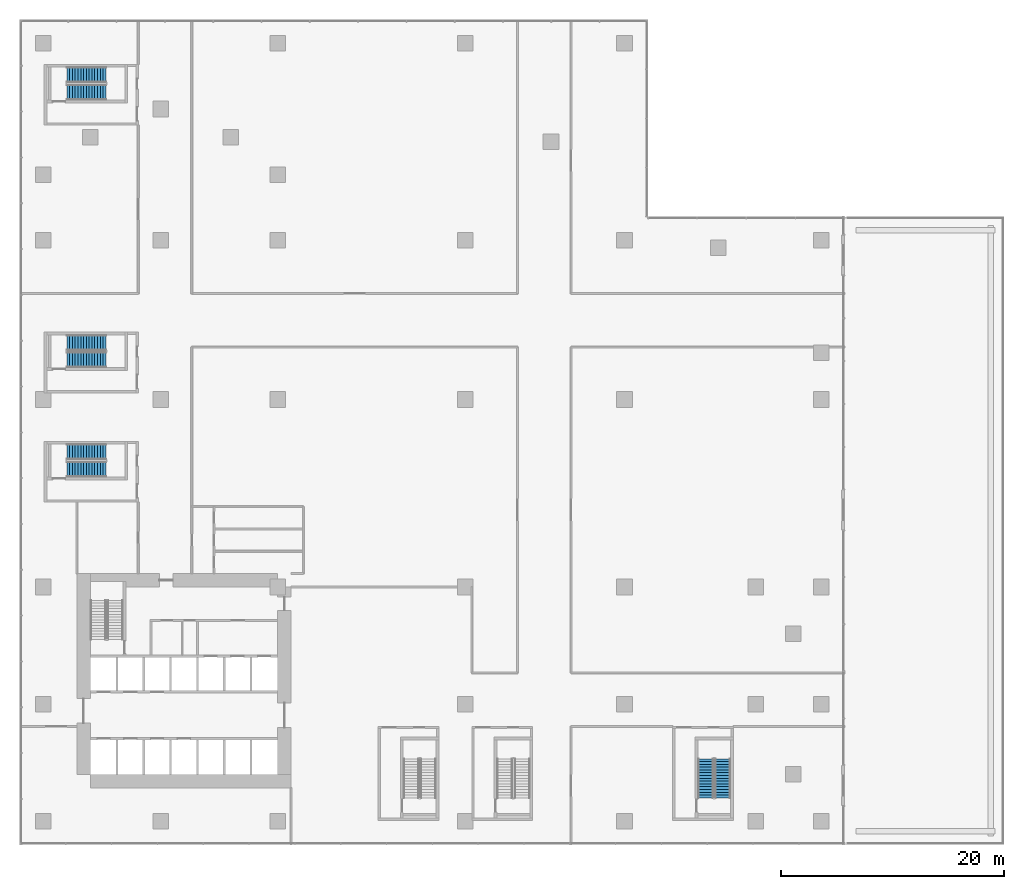
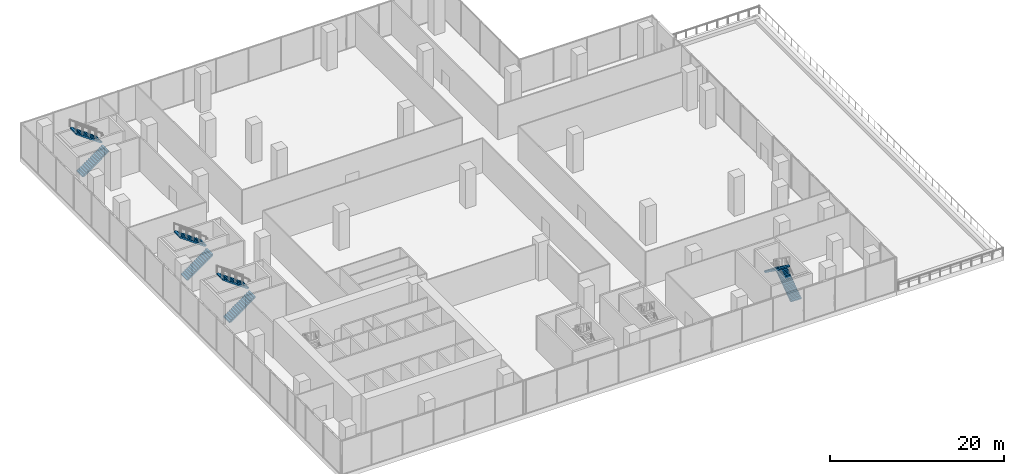
# One storey, part 18 of 23: 8 stair flights, 4 elements without a shape of their own.
"""IFC4 building model written with IfcOpenShell, lengths in metres."""

from ifc_helpers import new_model, si_unit, direction, frame, origin, place, context, subcontext, project, spatial, polyline, outline, extrude, source, transform, mapped, material, type_object, element, aggregate, save


model = new_model("IFC4")

# Units and contexts
model_context = context("Model", 3, precision=1e-05, world=origin(), true_north=direction((0.0, 1.0)))
body_context = subcontext(model_context, "Body", "Model", "MODEL_VIEW")
ifc_project = project(units=[si_unit("LENGTHUNIT", "METRE"), si_unit("AREAUNIT", "SQUARE_METRE"), si_unit("VOLUMEUNIT", "CUBIC_METRE"), si_unit("PLANEANGLEUNIT", "RADIAN"), si_unit("MASSUNIT", "GRAM", prefix="KILO")], contexts=[model_context])

# Site, building, storey
site_placement = place(None, origin())
site = spatial("IfcSite", under=ifc_project, at=site_placement, CompositionType="ELEMENT")
building_placement = place(site_placement, origin())
building = spatial("IfcBuilding", under=site, at=building_placement, Name="Aurelian Terraces", CompositionType="ELEMENT")
storey_placement = place(building_placement, frame((0.0, 0.0, 18.3)))
storey = spatial("IfcBuildingStorey", under=building, at=storey_placement, Name="L03", CompositionType="ELEMENT", Elevation=18.3)

# Stair, stair flights
ifc_material = material(Name="Concrete fc' 40 MPa", Category="concrete")
stair_type = type_object("IfcStairType", Name="Stair 1400", PredefinedType="HALF_TURN_STAIR", material=ifc_material)
stair_1_placement = place(storey_placement, origin())
stair_1 = element("IfcStair", 1, at=stair_1_placement, inside=storey, type_object=stair_type, Name="L03 S3", PredefinedType="HALF_TURN_STAIR")
stair_flight_type = type_object("IfcStairFlightType", Name="Stair flight 1400", PredefinedType="STRAIGHT", material=ifc_material)
shared_shape = source(origin(), body_context, "Body", "SweptSolid", [
    extrude(outline(polyline([(0.0, 0.0), (0.0, 0.18), (0.25, 0.18), (0.25, 0.36), (0.5, 0.36), (0.5, 0.54), (0.75, 0.54), (0.75, 0.72), (1.0, 0.72), (1.0, 0.9), (1.25, 0.9), (1.25, 1.08), (1.5, 1.08), (1.5, 1.26), (1.75, 1.26), (1.75, 1.44), (2.0, 1.44), (2.0, 1.62), (2.25, 1.62), (2.25, 1.8), (2.5, 1.8), (2.5, 1.98), (2.75, 1.98), (2.75, 2.16), (3.0, 2.16), (3.0, 2.34), (3.25, 2.34), (3.25, 2.52), (3.5, 2.52), (3.5, 2.7), (3.5, 2.3352), (0.2567, 0.0), (0.0, 0.0)])), frame((0.0, 0.7, 0.0), z_axis=(0.0, -1.0, 0.0), x_axis=(1.0, 0.0, 0.0)), (0.0, 0.0, 1.0), 1.4),
])
stair_flight_1_placement = place(storey_placement, frame((2.1, 41.35, 2e-08), z_axis=(0.0, 0.0, 1.0), x_axis=(1.0, 0.0, 0.0)))
stair_flight_1 = element("IfcStairFlight", 2, at=stair_flight_1_placement, type_object=stair_flight_type, Name="S3 flight 1", NumberOfRisers=15, NumberOfTreads=14, PredefinedType="STRAIGHT", RiserHeight=0.18, TreadLength=0.25, context=body_context, shape_type="MappedRepresentation", body=[
    mapped(shared_shape, transform((0.0, 0.0, 0.0), scale=1.0)),
])
stair_flight_2_placement = place(storey_placement, frame((5.6, 42.9, 2.700000019999999), z_axis=(0.0, 0.0, 1.0), x_axis=(-1.0, 0.0, 0.0)))
stair_flight_2 = element("IfcStairFlight", 3, at=stair_flight_2_placement, type_object=stair_flight_type, Name="S3 flight 2", NumberOfRisers=15, NumberOfTreads=14, PredefinedType="STRAIGHT", RiserHeight=0.18, TreadLength=0.25, context=body_context, shape_type="MappedRepresentation", body=[
    mapped(shared_shape, transform((0.0, 0.0, 0.0), scale=1.0)),
])
aggregate(stair_1, [stair_flight_1, stair_flight_2])

stair_2_placement = place(storey_placement, origin())
stair_2 = element("IfcStair", 4, at=stair_2_placement, inside=storey, type_object=stair_type, Name="L03 S4", PredefinedType="HALF_TURN_STAIR")
stair_flight_3_placement = place(storey_placement, frame((2.1, 31.55, 2e-08), z_axis=(0.0, 0.0, 1.0), x_axis=(1.0, 0.0, 0.0)))
stair_flight_3 = element("IfcStairFlight", 5, at=stair_flight_3_placement, type_object=stair_flight_type, Name="S4 flight 1", NumberOfRisers=15, NumberOfTreads=14, PredefinedType="STRAIGHT", RiserHeight=0.18, TreadLength=0.25, context=body_context, shape_type="MappedRepresentation", body=[
    mapped(shared_shape, transform((0.0, 0.0, 0.0), scale=1.0)),
])
stair_flight_4_placement = place(storey_placement, frame((5.6, 33.1, 2.700000019999999), z_axis=(0.0, 0.0, 1.0), x_axis=(-1.0, 0.0, 0.0)))
stair_flight_4 = element("IfcStairFlight", 6, at=stair_flight_4_placement, type_object=stair_flight_type, Name="S4 flight 2", NumberOfRisers=15, NumberOfTreads=14, PredefinedType="STRAIGHT", RiserHeight=0.18, TreadLength=0.25, context=body_context, shape_type="MappedRepresentation", body=[
    mapped(shared_shape, transform((0.0, 0.0, 0.0), scale=1.0)),
])
aggregate(stair_2, [stair_flight_3, stair_flight_4])

stair_3_placement = place(storey_placement, origin())
stair_3 = element("IfcStair", 7, at=stair_3_placement, inside=storey, type_object=stair_type, Name="L03 S5", PredefinedType="HALF_TURN_STAIR")
stair_flight_5_placement = place(storey_placement, frame((2.1, 65.35, 2e-08), z_axis=(0.0, 0.0, 1.0), x_axis=(1.0, 0.0, 0.0)))
stair_flight_5 = element("IfcStairFlight", 8, at=stair_flight_5_placement, type_object=stair_flight_type, Name="S5 flight 1", NumberOfRisers=15, NumberOfTreads=14, PredefinedType="STRAIGHT", RiserHeight=0.18, TreadLength=0.25, context=body_context, shape_type="MappedRepresentation", body=[
    mapped(shared_shape, transform((0.0, 0.0, 0.0), scale=1.0)),
])
stair_flight_6_placement = place(storey_placement, frame((5.6, 66.9, 2.700000019999999), z_axis=(0.0, 0.0, 1.0), x_axis=(-1.0, 0.0, 0.0)))
stair_flight_6 = element("IfcStairFlight", 9, at=stair_flight_6_placement, type_object=stair_flight_type, Name="S5 flight 2", NumberOfRisers=15, NumberOfTreads=14, PredefinedType="STRAIGHT", RiserHeight=0.18, TreadLength=0.25, context=body_context, shape_type="MappedRepresentation", body=[
    mapped(shared_shape, transform((0.0, 0.0, 0.0), scale=1.0)),
])
aggregate(stair_3, [stair_flight_5, stair_flight_6])

stair_4_placement = place(storey_placement, origin())
stair_4 = element("IfcStair", 10, at=stair_4_placement, inside=storey, type_object=stair_type, Name="L03 S6", PredefinedType="HALF_TURN_STAIR")
stair_flight_7_placement = place(storey_placement, frame((60.9, 2.1, 2e-08), z_axis=(0.0, 0.0, 1.0), x_axis=(0.0, 1.0, 0.0)))
stair_flight_7 = element("IfcStairFlight", 11, at=stair_flight_7_placement, type_object=stair_flight_type, Name="S6 flight 1", NumberOfRisers=15, NumberOfTreads=14, PredefinedType="STRAIGHT", RiserHeight=0.18, TreadLength=0.25, context=body_context, shape_type="MappedRepresentation", body=[
    mapped(shared_shape, transform((0.0, 0.0, 0.0), scale=1.0)),
])
stair_flight_8_placement = place(storey_placement, frame((59.35, 5.6, 2.700000019999999), z_axis=(0.0, 0.0, 1.0), x_axis=(0.0, -1.0, 0.0)))
stair_flight_8 = element("IfcStairFlight", 12, at=stair_flight_8_placement, type_object=stair_flight_type, Name="S6 flight 2", NumberOfRisers=15, NumberOfTreads=14, PredefinedType="STRAIGHT", RiserHeight=0.18, TreadLength=0.25, context=body_context, shape_type="MappedRepresentation", body=[
    mapped(shared_shape, transform((0.0, 0.0, 0.0), scale=1.0)),
])
aggregate(stair_4, [stair_flight_7, stair_flight_8])

save(model, "model.ifc")
